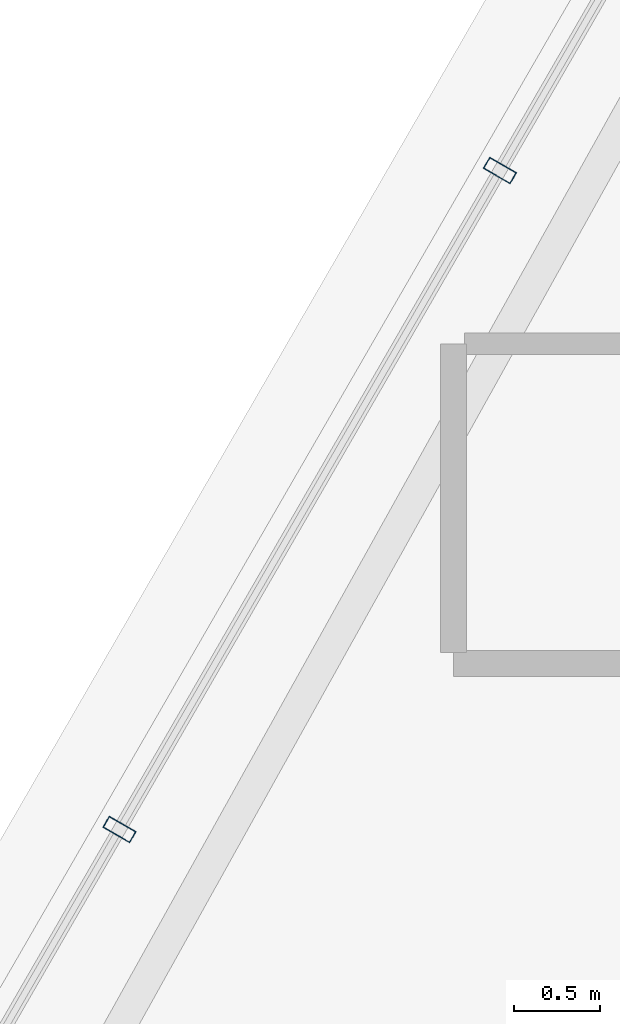
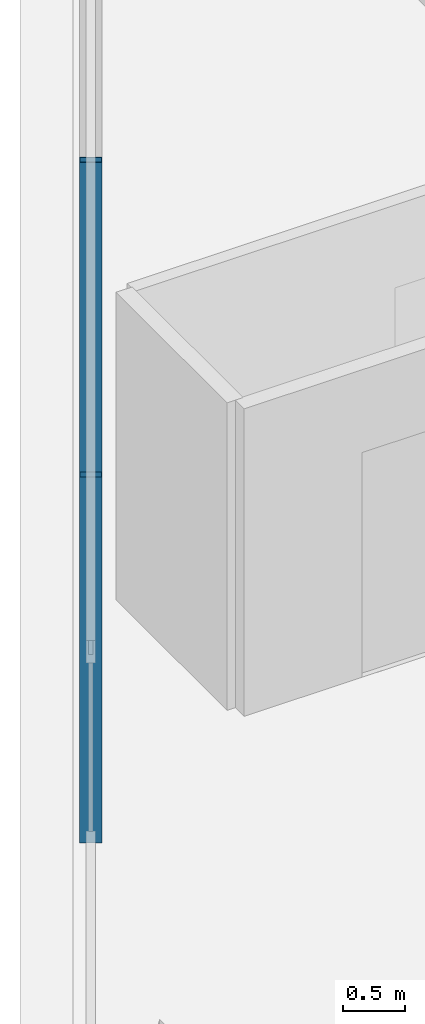
# One storey, part 5 of 32: 2 members, 1 element without a shape of its own.
"""IFC4 building model written with IfcOpenShell, lengths in metres."""

from ifc_helpers import new_model, si_unit, direction, frame, origin, origin_2d, place, context, subcontext, project, spatial, hollow_rectangle, extrude, material, layer, layer_set, material_profile, profile_set, type_object, element, aggregate, save


model = new_model("IFC4")

# Units and contexts
model_context = context("Model", 3, precision=1e-05, world=origin(), true_north=direction((0.0, 1.0)))
body_context = subcontext(model_context, "Body", "Model", "MODEL_VIEW")
ifc_project = project(units=[si_unit("LENGTHUNIT", "METRE"), si_unit("AREAUNIT", "SQUARE_METRE"), si_unit("VOLUMEUNIT", "CUBIC_METRE"), si_unit("PLANEANGLEUNIT", "RADIAN"), si_unit("MASSUNIT", "GRAM", prefix="KILO")], contexts=[model_context])

# Site, building, storey
site_placement = place(None, origin())
site = spatial("IfcSite", under=ifc_project, at=site_placement, CompositionType="ELEMENT")
building_placement = place(site_placement, origin())
building = spatial("IfcBuilding", under=site, at=building_placement, Name="Ndaravel Arena Tower", CompositionType="ELEMENT")
storey_placement = place(building_placement, frame((0.0, 0.0, 252.199951171875)))
storey = spatial("IfcBuildingStorey", under=building, at=storey_placement, Name="L61", CompositionType="ELEMENT", Elevation=252.199951171875)

# Curtain wall, members
ifc_material_1 = material(Name="Aluminium", Category="aluminium")
ifc_layer = layer(ifc_material_1, 0.179931640625)
ifc_layer_set = layer_set([ifc_layer], Name="Aluminium")
curtain_wall_type = type_object("IfcCurtainWallType", Name="CW-SYS-03", PredefinedType="NOTDEFINED", material=ifc_layer_set)
curtain_wall_placement = place(storey_placement, origin())
curtain_wall = element("IfcCurtainWall", 1, at=curtain_wall_placement, inside=storey, type_object=curtain_wall_type, Name="L61 Faceted Crystal Curtain Wall CW-L61-E05", PredefinedType="NOTDEFINED")
ifc_material_2 = material(Name="Aluminium", Category="aluminium")
ifc_material_profile = material_profile(ifc_material_2, hollow_rectangle(XDim=0.074951171875, YDim=0.179931640625, WallThickness=0.00390625, at=origin_2d()), Name="CW MULLION 75x180x4")
ifc_profile_set = profile_set([ifc_material_profile], Name="Aluminium")
member_type = type_object("IfcMemberType", Name="MEM-CW-MUL180", PredefinedType="MULLION", material=ifc_profile_set)
member_1_placement = place(storey_placement, frame((23.583984375, 18.001953125, 0.0), z_axis=(0.0, 0.0, 1.0), x_axis=(-0.5, -0.866025403784, 0.0)))
member_1 = element("IfcMember", 2, at=member_1_placement, type_object=member_type, Name="CW-L61-E05 Mullion 07", PredefinedType="MULLION", context=body_context, shape_type="SweptSolid", body=[
    extrude(hollow_rectangle(XDim=0.074951171875, YDim=0.179931640625, WallThickness=0.00390625, at=origin_2d()), origin(), (0.0, 0.0, 1.0), 3.580078125),
])
member_2_placement = place(storey_placement, frame((21.3837890625, 14.19091796875, 0.0), z_axis=(0.0, 0.0, 1.0), x_axis=(-0.5, -0.866025403784, 0.0)))
member_2 = element("IfcMember", 3, at=member_2_placement, type_object=member_type, Name="CW-L61-E05 Mullion 08", PredefinedType="MULLION", context=body_context, shape_type="SweptSolid", body=[
    extrude(hollow_rectangle(XDim=0.074951171875, YDim=0.179931640625, WallThickness=0.00390625, at=origin_2d()), origin(), (0.0, 0.0, 1.0), 3.580078125),
])
aggregate(curtain_wall, [member_1, member_2])

save(model, "model.ifc")
